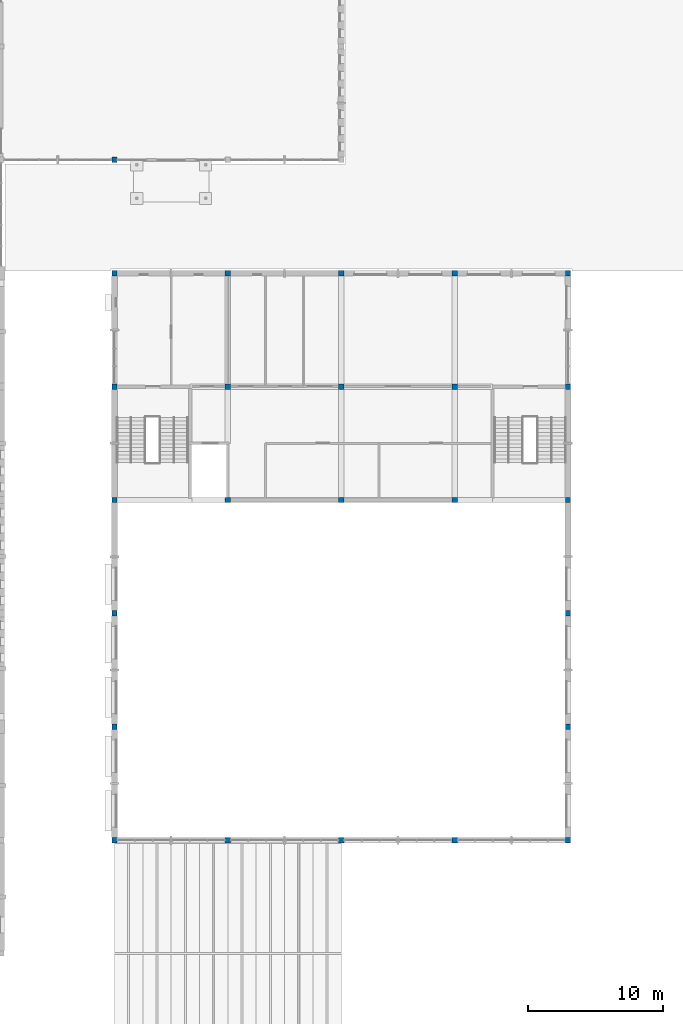
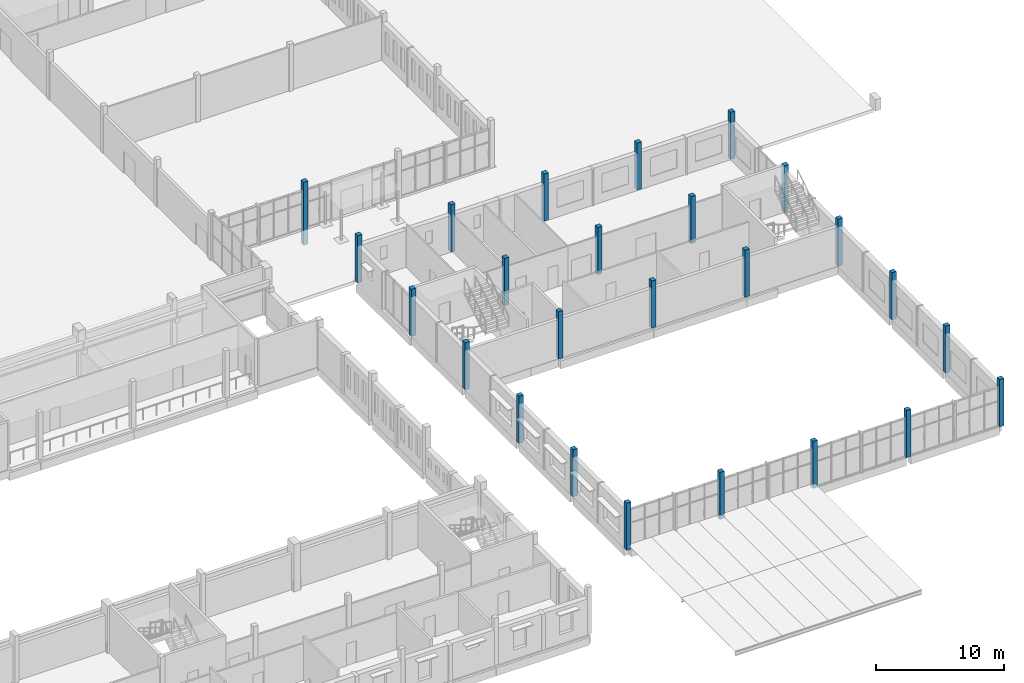
# One storey, part 5 of 60: 25 columns.
"""IFC4 building model written with IfcOpenShell, lengths in metres."""

from ifc_helpers import new_model, si_unit, direction, frame, origin, origin_2d, place, context, subcontext, project, spatial, rectangle, extrude, material, material_profile, profile_set, type_object, element, save


model = new_model("IFC4")

# Units and contexts
model_context = context("Model", 3, precision=1e-05, world=origin(), true_north=direction((0.0, 1.0)))
body_context = subcontext(model_context, "Body", "Model", "MODEL_VIEW")
ifc_project = project(units=[si_unit("LENGTHUNIT", "METRE"), si_unit("AREAUNIT", "SQUARE_METRE"), si_unit("VOLUMEUNIT", "CUBIC_METRE"), si_unit("PLANEANGLEUNIT", "RADIAN"), si_unit("MASSUNIT", "GRAM", prefix="KILO")], contexts=[model_context])

# Site, building, storey
site_placement = place(None, origin())
site = spatial("IfcSite", under=ifc_project, at=site_placement, CompositionType="ELEMENT")
building_placement = place(site_placement, origin())
building = spatial("IfcBuilding", under=site, at=building_placement, Name="Fescue Hill Polytechnic", CompositionType="ELEMENT")
storey_placement = place(building_placement, frame((0.0, 0.0, 4.5)))
storey = spatial("IfcBuildingStorey", under=building, at=storey_placement, Name="L01", CompositionType="ELEMENT", Elevation=4.5)

# Columns
ifc_material = material(Name="Concrete 40 MPa", Category="concrete")
ifc_material_profile = material_profile(ifc_material, rectangle(XDim=0.39990234375, YDim=0.39990234375, at=origin_2d()), Name="RC 400x400")
ifc_profile_set = profile_set([ifc_material_profile], Name="Concrete 40 MPa")
column_type = type_object("IfcColumnType", Name="Column RC 400x400", PredefinedType="COLUMN", material=ifc_profile_set)
for number, where, z_axis, x_axis, name in (
    (1, (126.0, 33.60009765625, 0.0), (0.0, 0.0, 1.0), (1.0, 0.0, 0.0), "COL-L01-V3-001"),
    (2, (126.0, 42.0, 0.0), (0.0, 0.0, 1.0), (1.0, 0.0, 0.0), "COL-L01-V3-002"),
    (3, (126.0, 50.39990234375, 0.0), (0.0, 0.0, 1.0), (1.0, 0.0, 0.0), "COL-L01-V3-003"),
    (4, (134.39990234375, 33.60009765625, 0.0), (0.0, 0.0, 1.0), (1.0, 0.0, 0.0), "COL-L01-V3-004"),
    (5, (134.39990234375, 42.0, 0.0), (0.0, 0.0, 1.0), (1.0, 0.0, 0.0), "COL-L01-V3-005"),
    (6, (134.39990234375, 50.39990234375, 0.0), (0.0, 0.0, 1.0), (1.0, 0.0, 0.0), "COL-L01-V3-006"),
    (7, (142.800048828125, 33.60009765625, 0.0), (0.0, 0.0, 1.0), (1.0, 0.0, 0.0), "COL-L01-V3-007"),
    (8, (142.800048828125, 42.0, 0.0), (0.0, 0.0, 1.0), (1.0, 0.0, 0.0), "COL-L01-V3-008"),
    (9, (142.800048828125, 50.39990234375, 0.0), (0.0, 0.0, 1.0), (1.0, 0.0, 0.0), "COL-L01-V3-009"),
    (10, (151.199951171875, 33.60009765625, 0.0), (0.0, 0.0, 1.0), (1.0, 0.0, 0.0), "COL-L01-V3-010"),
    (11, (151.199951171875, 42.0, 0.0), (0.0, 0.0, 1.0), (1.0, 0.0, 0.0), "COL-L01-V3-011"),
    (12, (151.199951171875, 50.39990234375, 0.0), (0.0, 0.0, 1.0), (1.0, 0.0, 0.0), "COL-L01-V3-012"),
    (13, (159.60009765625, 33.60009765625, 0.0), (0.0, 0.0, 1.0), (1.0, 0.0, 0.0), "COL-L01-V3-013"),
    (14, (159.60009765625, 42.0, 0.0), (0.0, 0.0, 1.0), (1.0, 0.0, 0.0), "COL-L01-V3-014"),
    (15, (159.60009765625, 50.39990234375, 0.0), (0.0, 0.0, 1.0), (1.0, 0.0, 0.0), "COL-L01-V3-015"),
):
    element("IfcColumn", number, at=place(storey_placement, frame(where, z_axis=z_axis, x_axis=x_axis)), inside=storey, type_object=column_type, Name=name, PredefinedType="COLUMN", context=body_context, shape_type="SweptSolid", body=[
        extrude(rectangle(XDim=0.39990234375, YDim=0.39990234375, at=origin_2d()), origin(), (0.0, 0.0, 1.0), 4.5),
    ])
column_placement = place(storey_placement, frame((126.0, 58.800048828125, -1.5), z_axis=(0.0, 0.0, 1.0), x_axis=(1.0, 0.0, 0.0)))
element("IfcColumn", 16, at=column_placement, inside=storey, type_object=column_type, Name="COL-L01-V2-007", PredefinedType="COLUMN", context=body_context, shape_type="SweptSolid", body=[
    extrude(rectangle(XDim=0.39990234375, YDim=0.39990234375, at=origin_2d()), origin(), (0.0, 0.0, 1.0), 6.0),
])
for number, where, z_axis, x_axis, name in (
    (17, (126.0, 8.39990234375, 0.0), (0.0, 0.0, 1.0), (1.0, 0.0, 0.0), "COL-L01-V3-016"),
    (18, (126.0, 16.800048828125, 0.0), (0.0, 0.0, 1.0), (1.0, 0.0, 0.0), "COL-L01-V3-017"),
    (19, (126.0, 25.199951171875, 0.0), (0.0, 0.0, 1.0), (1.0, 0.0, 0.0), "COL-L01-V3-018"),
    (20, (159.60009765625, 8.39990234375, 0.0), (0.0, 0.0, 1.0), (1.0, 0.0, 0.0), "COL-L01-V3-019"),
    (21, (159.60009765625, 16.800048828125, 0.0), (0.0, 0.0, 1.0), (1.0, 0.0, 0.0), "COL-L01-V3-020"),
    (22, (159.60009765625, 25.199951171875, 0.0), (0.0, 0.0, 1.0), (1.0, 0.0, 0.0), "COL-L01-V3-021"),
    (23, (134.39990234375, 8.39990234375, 0.0), (0.0, 0.0, 1.0), (1.0, 0.0, 0.0), "COL-L01-V3-022"),
    (24, (142.800048828125, 8.39990234375, 0.0), (0.0, 0.0, 1.0), (1.0, 0.0, 0.0), "COL-L01-V3-023"),
    (25, (151.199951171875, 8.39990234375, 0.0), (0.0, 0.0, 1.0), (1.0, 0.0, 0.0), "COL-L01-V3-024"),
):
    element("IfcColumn", number, at=place(storey_placement, frame(where, z_axis=z_axis, x_axis=x_axis)), inside=storey, type_object=column_type, Name=name, PredefinedType="COLUMN", context=body_context, shape_type="SweptSolid", body=[
        extrude(rectangle(XDim=0.39990234375, YDim=0.39990234375, at=origin_2d()), origin(), (0.0, 0.0, 1.0), 4.5),
    ])

save(model, "model.ifc")
